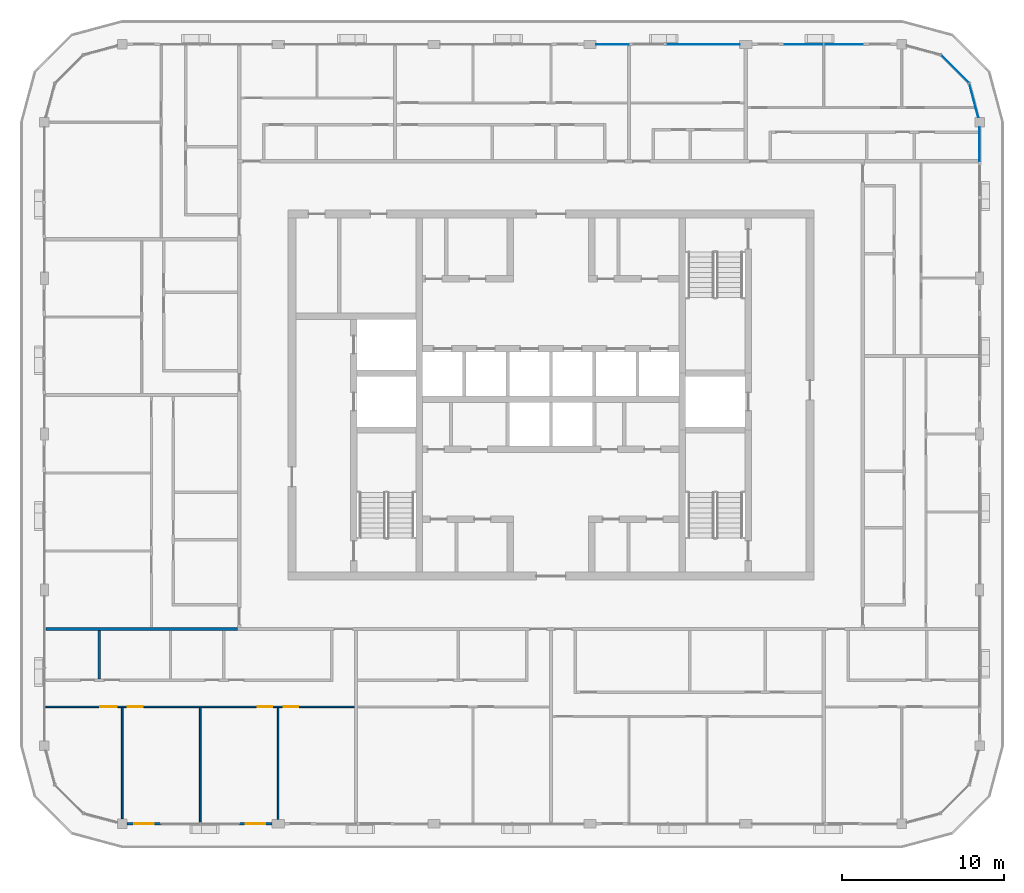
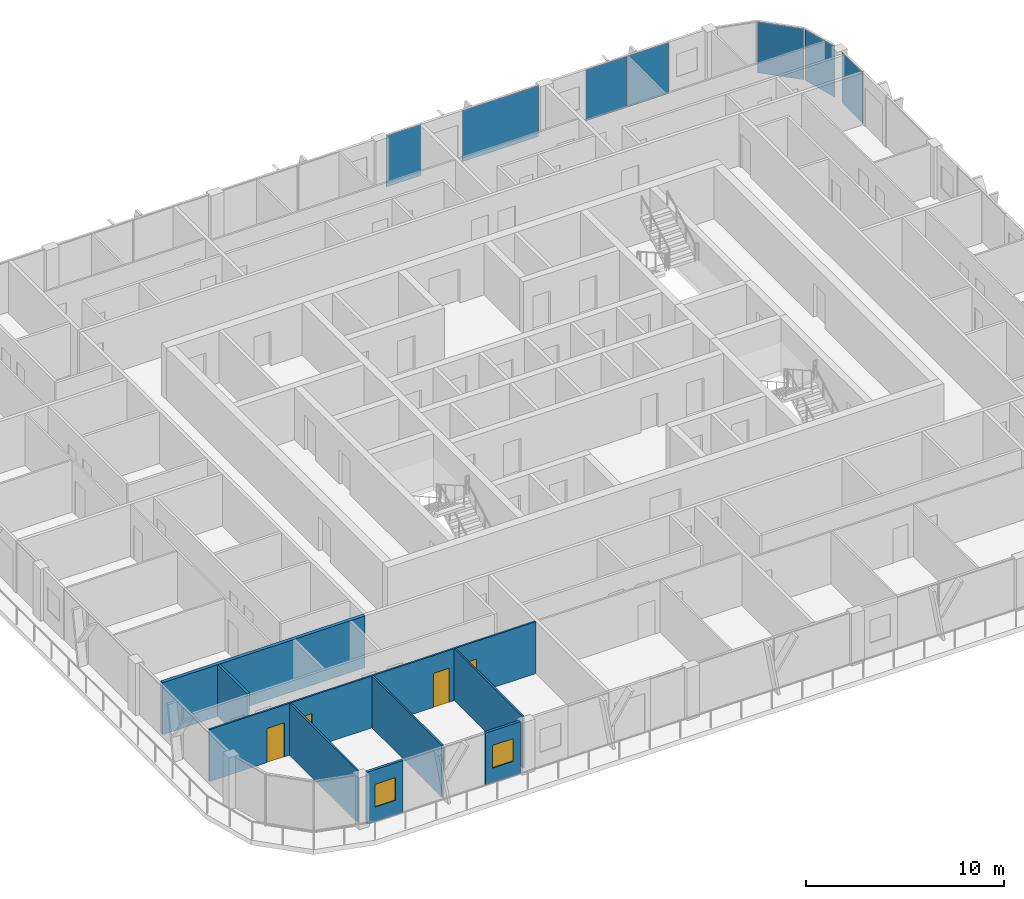
# One storey, part 8 of 21: 8 walls, 7 plates, 4 doors, 2 windows, 6 openings, 4 elements without a shape of their own.
"""IFC4 building model written with IfcOpenShell, lengths in metres."""

from ifc_helpers import new_model, si_unit, direction, frame, frame_2d, origin, origin_2d, place, context, subcontext, project, spatial, rectangle, extrude, material, layer, layer_set, type_object, element, fill, aggregate, save


model = new_model("IFC4")

# Units and contexts
model_context = context("Model", 3, precision=1e-05, world=origin(), true_north=direction((0.0, 1.0)))
body_context = subcontext(model_context, "Body", "Model", "MODEL_VIEW")
ifc_project = project(units=[si_unit("LENGTHUNIT", "METRE"), si_unit("AREAUNIT", "SQUARE_METRE"), si_unit("VOLUMEUNIT", "CUBIC_METRE"), si_unit("PLANEANGLEUNIT", "RADIAN"), si_unit("MASSUNIT", "GRAM", prefix="KILO")], contexts=[model_context])

# Site, building, storey
site_placement = place(None, origin())
site = spatial("IfcSite", under=ifc_project, at=site_placement, CompositionType="ELEMENT")
building_placement = place(site_placement, origin())
building = spatial("IfcBuilding", under=site, at=building_placement, Name="Madar Terraces", CompositionType="ELEMENT")
storey_placement = place(building_placement, frame((0.0, 0.0, 268.60009765625)))
storey = spatial("IfcBuildingStorey", under=building, at=storey_placement, Name="L70", CompositionType="ELEMENT", Elevation=268.60009765625)

# Curtain wall, plate
ifc_material_1 = material(Name="Glass, ceramic frit dark grey, with black aluminium frame", Category="aluminium")
ifc_layer_1 = layer(ifc_material_1, 0.199951171875)
ifc_layer_set_1 = layer_set([ifc_layer_1], Name="Facade curtain wall, fritted glass")
curtain_wall_type = type_object("IfcCurtainWallType", Name="Facade curtain wall, fritted glass", PredefinedType="NOTDEFINED", material=ifc_layer_set_1)
curtain_wall_1_placement = place(storey_placement, origin())
curtain_wall_1 = element("IfcCurtainWall", 1, at=curtain_wall_1_placement, inside=storey, type_object=curtain_wall_type, Name="Outer skin curtain wall east bay 4", PredefinedType="NOTDEFINED")
ifc_material_2 = material(Name="Glass, ceramic frit dark grey", Category="glass")
ifc_layer_2 = layer(ifc_material_2, 0.028076171875)
ifc_layer_set_2 = layer_set([ifc_layer_2], Name="Facade glass panel 28")
plate_type = type_object("IfcPlateType", Name="Facade glass panel 28", PredefinedType="CURTAIN_PANEL", material=ifc_layer_set_2)
plate_1_placement = place(storey_placement, frame((57.60009765625, 41.85009765625, 0.0), z_axis=(0.0, 0.0, 1.0), x_axis=(0.0, 1.0, 0.0)))
plate_1 = element("IfcPlate", 2, at=plate_1_placement, type_object=plate_type, Name="Panel 2", PredefinedType="CURTAIN_PANEL", context=body_context, shape_type="SweptSolid", body=[
    extrude(rectangle(XDim=2.10009765625, YDim=0.028076171875, at=origin_2d()), origin(), (0.0, 0.0, 1.0), 3.139892578125),
])
aggregate(curtain_wall_1, [plate_1])

# Curtain wall, plates
curtain_wall_2_placement = place(storey_placement, origin())
curtain_wall_2 = element("IfcCurtainWall", 3, at=curtain_wall_2_placement, inside=storey, type_object=curtain_wall_type, Name="Outer skin curtain wall north bay 1", PredefinedType="NOTDEFINED")
plate_2_placement = place(storey_placement, frame((49.215087890625, 48.0, 0.0), z_axis=(0.0, 0.0, 1.0), x_axis=(-1.0, 0.0, 0.0)))
plate_2 = element("IfcPlate", 4, at=plate_2_placement, type_object=plate_type, Name="Panel 1", PredefinedType="CURTAIN_PANEL", context=body_context, shape_type="SweptSolid", body=[
    extrude(rectangle(XDim=2.3701171875, YDim=0.028076171875, at=origin_2d()), origin(), (0.0, 0.0, 1.0), 3.139892578125),
])
plate_3_placement = place(storey_placement, frame((46.784912109375, 48.0, 0.0), z_axis=(0.0, 0.0, 1.0), x_axis=(-1.0, 0.0, 0.0)))
plate_3 = element("IfcPlate", 5, at=plate_3_placement, type_object=plate_type, Name="Panel 2", PredefinedType="CURTAIN_PANEL", context=body_context, shape_type="SweptSolid", body=[
    extrude(rectangle(XDim=2.3701171875, YDim=0.028076171875, at=origin_2d()), origin(), (0.0, 0.0, 1.0), 3.139892578125),
])
aggregate(curtain_wall_2, [plate_2, plate_3])

curtain_wall_3_placement = place(storey_placement, origin())
curtain_wall_3 = element("IfcCurtainWall", 6, at=curtain_wall_3_placement, inside=storey, type_object=curtain_wall_type, Name="Outer skin curtain wall north bay 2", PredefinedType="NOTDEFINED")
plate_4_placement = place(storey_placement, frame((40.612548828125, 48.0, 0.0), z_axis=(0.0, 0.0, 1.0), x_axis=(-1.0, 0.0, 0.0)))
plate_4 = element("IfcPlate", 7, at=plate_4_placement, type_object=plate_type, Name="Panel 1", PredefinedType="CURTAIN_PANEL", context=body_context, shape_type="SweptSolid", body=[
    extrude(rectangle(XDim=4.425048828125, YDim=0.028076171875, at=origin_2d()), origin(), (0.0, 0.0, 1.0), 3.139892578125),
])
plate_5_placement = place(storey_placement, frame((34.987548828125, 48.0, 0.0), z_axis=(0.0, 0.0, 1.0), x_axis=(-1.0, 0.0, 0.0)))
plate_5 = element("IfcPlate", 8, at=plate_5_placement, type_object=plate_type, Name="Panel 2", PredefinedType="CURTAIN_PANEL", context=body_context, shape_type="SweptSolid", body=[
    extrude(rectangle(XDim=2.02490234375, YDim=0.028076171875, at=origin_2d()), origin(), (0.0, 0.0, 1.0), 3.139892578125),
])
aggregate(curtain_wall_3, [plate_4, plate_5])

curtain_wall_4_placement = place(storey_placement, origin())
curtain_wall_4 = element("IfcCurtainWall", 9, at=curtain_wall_4_placement, inside=storey, type_object=curtain_wall_type, Name="Outer skin curtain wall north-east corner", PredefinedType="NOTDEFINED")
plate_6_placement = place(storey_placement, frame((57.2421875, 44.535400390625, 0.0), z_axis=(0.0, 0.0, 1.0), x_axis=(-0.258819021888, 0.965925832509, 0.0)))
plate_6 = element("IfcPlate", 10, at=plate_6_placement, type_object=plate_type, Name="Panel 1", PredefinedType="CURTAIN_PANEL", context=body_context, shape_type="SweptSolid", body=[
    extrude(rectangle(XDim=2.14404296875, YDim=0.028076171875, at=origin_2d()), origin(), (0.0, 0.0, 1.0), 3.139892578125),
])
plate_7_placement = place(storey_placement, frame((56.078369140625, 46.478515625, 0.0), z_axis=(0.0, 0.0, 1.0), x_axis=(-0.707106781187, 0.707106781187, 0.0)))
plate_7 = element("IfcPlate", 11, at=plate_7_placement, type_object=plate_type, Name="Panel 2", PredefinedType="CURTAIN_PANEL", context=body_context, shape_type="SweptSolid", body=[
    extrude(rectangle(XDim=2.424560546875, YDim=0.028076171875, at=origin_2d()), origin(), (0.0, 0.0, 1.0), 3.139892578125),
])
aggregate(curtain_wall_4, [plate_6, plate_7])

# Wall, opening, window
ifc_material_3 = material(Name="Aluminium composite panel, black, over insulated backing", Category="aluminium")
ifc_layer_3 = layer(ifc_material_3, 0.14990234375)
ifc_layer_set_3 = layer_set([ifc_layer_3], Name="Facade bay panel 150")
wall_type_1 = type_object("IfcWallType", Name="Facade bay panel 150", PredefinedType="SOLIDWALL", material=ifc_layer_set_3)
wall_1_placement = place(storey_placement, frame((5.10009765625, 0.0, 0.0), z_axis=(0.0, 0.0, 1.0), x_axis=(1.0, 0.0, 0.0)))
wall_1 = element("IfcWall", 12, at=wall_1_placement, inside=storey, type_object=wall_type_1, Name="Facade bay panel", PredefinedType="SOLIDWALL", context=body_context, shape_type="SweptSolid", body=[
    extrude(rectangle(XDim=2.099853515625, YDim=0.14990234375, at=frame_2d((1.0498046875, 0.0))), origin(), (0.0, 0.0, 1.0), 3.199951171875),
])
opening_1_placement = place(wall_1_placement, frame((0.449951171875, 0.0, 0.89990234375)))
opening_1 = element("IfcOpeningElement", 13, at=opening_1_placement, cuts=wall_1, Name="Opening W1", PredefinedType="OPENING", context=body_context, shape_type="SweptSolid", body=[
    extrude(rectangle(XDim=1.199951171875, YDim=1.39990234375, at=frame_2d((0.60009765625, 0.699951171875))), frame((0.0, 0.0849609375, 0.0), z_axis=(0.0, -1.0, 0.0), x_axis=(1.0, 0.0, 0.0)), (0.0, 0.0, 1.0), 0.169921875),
])
ifc_material_4 = material(Name="Glass, clear, with black aluminium frame", Category="aluminium")
window_type = type_object("IfcWindowType", Name="Vent window 1200 x 1400", PartitioningType="SINGLE_PANEL", PredefinedType="WINDOW", material=ifc_material_4)
window_1_placement = place(opening_1_placement, origin())
window_1 = element("IfcWindow", 14, at=window_1_placement, inside=storey, type_object=window_type, Name="Operable vent window", OverallHeight=1.39990234375, OverallWidth=1.199951171875, PartitioningType="SINGLE_PANEL", PredefinedType="WINDOW", context=body_context, shape_type="SweptSolid", body=[
    extrude(rectangle(XDim=1.199951171875, YDim=1.39990234375, at=frame_2d((0.60009765625, 0.699951171875))), frame((0.0, 0.030029296875, 0.0), z_axis=(0.0, -1.0, 0.0), x_axis=(1.0, 0.0, 0.0)), (0.0, 0.0, 1.0), 0.06005859375),
])
fill(opening_1, window_1)

wall_2_placement = place(storey_placement, frame((12.0, 0.0, 0.0), z_axis=(0.0, 0.0, 1.0), x_axis=(1.0, 0.0, 0.0)))
wall_2 = element("IfcWall", 15, at=wall_2_placement, inside=storey, type_object=wall_type_1, Name="Facade bay panel", PredefinedType="SOLIDWALL", context=body_context, shape_type="SweptSolid", body=[
    extrude(rectangle(XDim=2.02490234375, YDim=0.14990234375, at=frame_2d((1.012451171875, 0.0))), origin(), (0.0, 0.0, 1.0), 3.199951171875),
])
opening_2_placement = place(wall_2_placement, frame((0.41259765625, 0.0, 0.89990234375)))
opening_2 = element("IfcOpeningElement", 16, at=opening_2_placement, cuts=wall_2, Name="Opening W1", PredefinedType="OPENING", context=body_context, shape_type="SweptSolid", body=[
    extrude(rectangle(XDim=1.199951171875, YDim=1.39990234375, at=frame_2d((0.60009765625, 0.699951171875))), frame((0.0, 0.0849609375, 0.0), z_axis=(0.0, -1.0, 0.0), x_axis=(1.0, 0.0, 0.0)), (0.0, 0.0, 1.0), 0.169921875),
])
window_2_placement = place(opening_2_placement, origin())
window_2 = element("IfcWindow", 17, at=window_2_placement, inside=storey, type_object=window_type, Name="Operable vent window", OverallHeight=1.39990234375, OverallWidth=1.199951171875, PartitioningType="SINGLE_PANEL", PredefinedType="WINDOW", context=body_context, shape_type="SweptSolid", body=[
    extrude(rectangle(XDim=1.199951171875, YDim=1.39990234375, at=frame_2d((0.60009765625, 0.699951171875))), frame((0.0, 0.030029296875, 0.0), z_axis=(0.0, -1.0, 0.0), x_axis=(1.0, 0.0, 0.0)), (0.0, 0.0, 1.0), 0.06005859375),
])
fill(opening_2, window_2)

# Walls
ifc_material_5 = material(Name="Gypsum board on steel studs", Category="steel")
ifc_layer_4 = layer(ifc_material_5, 0.10009765625)
ifc_layer_set_4 = layer_set([ifc_layer_4], Name="Flat partition 100")
wall_type_2 = type_object("IfcWallType", Name="Flat partition 100", PredefinedType="PARTITIONING", material=ifc_layer_set_4)
wall_3_placement = place(storey_placement, frame((14.39990234375, 7.14990234375, 0.0), z_axis=(0.0, 0.0, 1.0), x_axis=(0.0, -1.0, 0.0)))
element("IfcWall", 18, at=wall_3_placement, inside=storey, type_object=wall_type_2, Name="Flat partition 100", PredefinedType="PARTITIONING", context=body_context, shape_type="SweptSolid", body=[
    extrude(rectangle(XDim=6.89990234375, YDim=0.10009765625, at=frame_2d((3.449951171875, 0.0))), origin(), (0.0, 0.0, 1.0), 3.199951171875),
])
wall_4_placement = place(storey_placement, frame((9.60009765625, 7.14990234375, 0.0), z_axis=(0.0, 0.0, 1.0), x_axis=(0.0, -1.0, 0.0)))
element("IfcWall", 19, at=wall_4_placement, inside=storey, type_object=wall_type_2, Name="Flat partition 100", PredefinedType="PARTITIONING", context=body_context, shape_type="SweptSolid", body=[
    extrude(rectangle(XDim=7.0498046875, YDim=0.10009765625, at=frame_2d((3.52490234375, 0.0))), origin(), (0.0, 0.0, 1.0), 3.199951171875),
])
wall_5_placement = place(storey_placement, frame((4.800048828125, 7.14990234375, 0.0), z_axis=(0.0, 0.0, 1.0), x_axis=(0.0, -1.0, 0.0)))
element("IfcWall", 20, at=wall_5_placement, inside=storey, type_object=wall_type_2, Name="Flat partition 100", PredefinedType="PARTITIONING", context=body_context, shape_type="SweptSolid", body=[
    extrude(rectangle(XDim=6.849853515625, YDim=0.10009765625, at=frame_2d((3.4248046875, 0.0))), origin(), (0.0, 0.0, 1.0), 3.199951171875),
])

# Wall, openings, doors
wall_6_placement = place(storey_placement, frame((19.10009765625, 7.199951171875, 0.0), z_axis=(0.0, 0.0, 1.0), x_axis=(-1.0, 0.0, 0.0)))
wall_6 = element("IfcWall", 21, at=wall_6_placement, inside=storey, type_object=wall_type_2, Name="Flat partition 100", PredefinedType="PARTITIONING", context=body_context, shape_type="SweptSolid", body=[
    extrude(rectangle(XDim=19.0, YDim=0.10009765625, at=frame_2d((9.5, 0.0))), origin(), (0.0, 0.0, 1.0), 3.199951171875),
])
opening_3_placement = place(wall_6_placement, frame((3.449951171875, 0.0, 0.0)))
opening_3 = element("IfcOpeningElement", 22, at=opening_3_placement, cuts=wall_6, Name="Opening D2", PredefinedType="OPENING", context=body_context, shape_type="SweptSolid", body=[
    extrude(rectangle(XDim=0.89990234375, YDim=2.10009765625, at=frame_2d((0.449951171875, 1.050048828125))), frame((0.0, 0.06005859375, 0.0), z_axis=(0.0, -1.0, 0.0), x_axis=(1.0, 0.0, 0.0)), (0.0, 0.0, 1.0), 0.1201171875),
])
opening_4_placement = place(wall_6_placement, frame((5.050048828125, 0.0, 0.0)))
opening_4 = element("IfcOpeningElement", 23, at=opening_4_placement, cuts=wall_6, Name="Opening D2", PredefinedType="OPENING", context=body_context, shape_type="SweptSolid", body=[
    extrude(rectangle(XDim=0.89990234375, YDim=2.10009765625, at=frame_2d((0.449951171875, 1.050048828125))), frame((0.0, 0.06005859375, 0.0), z_axis=(0.0, -1.0, 0.0), x_axis=(1.0, 0.0, 0.0)), (0.0, 0.0, 1.0), 0.1201171875),
])
opening_5_placement = place(wall_6_placement, frame((13.050048828125, 0.0, 0.0)))
opening_5 = element("IfcOpeningElement", 24, at=opening_5_placement, cuts=wall_6, Name="Opening D2", PredefinedType="OPENING", context=body_context, shape_type="SweptSolid", body=[
    extrude(rectangle(XDim=0.89990234375, YDim=2.10009765625, at=frame_2d((0.449951171875, 1.050048828125))), frame((0.0, 0.06005859375, 0.0), z_axis=(0.0, -1.0, 0.0), x_axis=(1.0, 0.0, 0.0)), (0.0, 0.0, 1.0), 0.1201171875),
])
opening_6_placement = place(wall_6_placement, frame((14.64990234375, 0.0, 0.0)))
opening_6 = element("IfcOpeningElement", 25, at=opening_6_placement, cuts=wall_6, Name="Opening D3", PredefinedType="OPENING", context=body_context, shape_type="SweptSolid", body=[
    extrude(rectangle(XDim=1.0, YDim=2.10009765625, at=frame_2d((0.5, 1.050048828125))), frame((0.0, 0.06005859375, 0.0), z_axis=(0.0, -1.0, 0.0), x_axis=(1.0, 0.0, 0.0)), (0.0, 0.0, 1.0), 0.1201171875),
])
ifc_material_6 = material(Name="Timber door leaf", Category="wood")
door_type_1 = type_object("IfcDoorType", Name="Flat living room door 1000", OperationType="NOTDEFINED", PredefinedType="DOOR", material=ifc_material_6)
door_1_placement = place(opening_6_placement, origin())
door_1 = element("IfcDoor", 26, at=door_1_placement, inside=storey, type_object=door_type_1, Name="Flat living room door 1000", OperationType="SINGLE_SWING_LEFT", OverallHeight=2.10009765625, OverallWidth=1.0, PredefinedType="DOOR", context=body_context, shape_type="SweptSolid", body=[
    extrude(rectangle(XDim=1.0, YDim=2.10009765625, at=frame_2d((0.5, 1.050048828125))), frame((0.0, 0.02490234375, 0.0), z_axis=(0.0, -1.0, 0.0), x_axis=(1.0, 0.0, 0.0)), (0.0, 0.0, 1.0), 0.050048828125),
])
fill(opening_6, door_1)
ifc_material_7 = material(Name="Timber door leaf", Category="wood")
door_type_2 = type_object("IfcDoorType", Name="Flat room door 900", OperationType="NOTDEFINED", PredefinedType="DOOR", material=ifc_material_7)
door_2_placement = place(opening_3_placement, origin())
door_2 = element("IfcDoor", 27, at=door_2_placement, inside=storey, type_object=door_type_2, Name="Flat room door 900", OperationType="SINGLE_SWING_RIGHT", OverallHeight=2.10009765625, OverallWidth=0.89990234375, PredefinedType="DOOR", context=body_context, shape_type="SweptSolid", body=[
    extrude(rectangle(XDim=0.89990234375, YDim=2.10009765625, at=frame_2d((0.449951171875, 1.050048828125))), frame((0.0, 0.02490234375, 0.0), z_axis=(0.0, -1.0, 0.0), x_axis=(1.0, 0.0, 0.0)), (0.0, 0.0, 1.0), 0.050048828125),
])
fill(opening_3, door_2)
door_3_placement = place(opening_4_placement, origin())
door_3 = element("IfcDoor", 28, at=door_3_placement, inside=storey, type_object=door_type_2, Name="Flat room door 900", OperationType="SINGLE_SWING_LEFT", OverallHeight=2.10009765625, OverallWidth=0.89990234375, PredefinedType="DOOR", context=body_context, shape_type="SweptSolid", body=[
    extrude(rectangle(XDim=0.89990234375, YDim=2.10009765625, at=frame_2d((0.449951171875, 1.050048828125))), frame((0.0, 0.02490234375, 0.0), z_axis=(0.0, -1.0, 0.0), x_axis=(1.0, 0.0, 0.0)), (0.0, 0.0, 1.0), 0.050048828125),
])
fill(opening_4, door_3)
door_4_placement = place(opening_5_placement, origin())
door_4 = element("IfcDoor", 29, at=door_4_placement, inside=storey, type_object=door_type_2, Name="Flat room door 900", OperationType="SINGLE_SWING_RIGHT", OverallHeight=2.10009765625, OverallWidth=0.89990234375, PredefinedType="DOOR", context=body_context, shape_type="SweptSolid", body=[
    extrude(rectangle(XDim=0.89990234375, YDim=2.10009765625, at=frame_2d((0.449951171875, 1.050048828125))), frame((0.0, 0.02490234375, 0.0), z_axis=(0.0, -1.0, 0.0), x_axis=(1.0, 0.0, 0.0)), (0.0, 0.0, 1.0), 0.050048828125),
])
fill(opening_5, door_4)

# Walls
ifc_material_8 = material(Name="Lightweight blockwork", Category="masonry")
ifc_layer_5 = layer(ifc_material_8, 0.199951171875)
ifc_layer_set_5 = layer_set([ifc_layer_5], Name="Flat party and entrance wall 200")
wall_type_3 = type_object("IfcWallType", Name="Flat party and entrance wall 200", PredefinedType="PARTITIONING", material=ifc_layer_set_5)
wall_7_placement = place(storey_placement, frame((0.10009765625, 12.0, 0.0), z_axis=(0.0, 0.0, 1.0), x_axis=(1.0, 0.0, 0.0)))
element("IfcWall", 30, at=wall_7_placement, inside=storey, type_object=wall_type_3, Name="Flat party and entrance wall 200", PredefinedType="PARTITIONING", context=body_context, shape_type="SweptSolid", body=[
    extrude(rectangle(XDim=11.7998046875, YDim=0.199951171875, at=frame_2d((5.89990234375, 0.0))), origin(), (0.0, 0.0, 1.0), 3.199951171875),
])
ifc_material_9 = material(Name="Lightweight blockwork", Category="masonry")
ifc_layer_6 = layer(ifc_material_9, 0.14990234375)
ifc_layer_set_6 = layer_set([ifc_layer_6], Name="Flat wet-room partition 150")
wall_type_4 = type_object("IfcWallType", Name="Flat wet-room partition 150", PredefinedType="PARTITIONING", material=ifc_layer_set_6)
wall_8_placement = place(storey_placement, frame((3.385986328125, 11.89990234375, 0.0), z_axis=(0.0, 0.0, 1.0), x_axis=(0.0, -1.0, 0.0)))
element("IfcWall", 31, at=wall_8_placement, inside=storey, type_object=wall_type_4, Name="Flat wet-room partition 150", PredefinedType="PARTITIONING", context=body_context, shape_type="SweptSolid", body=[
    extrude(rectangle(XDim=2.974853515625, YDim=0.14990234375, at=frame_2d((1.4873046875, 0.0))), origin(), (0.0, 0.0, 1.0), 3.199951171875),
])

save(model, "model.ifc")
